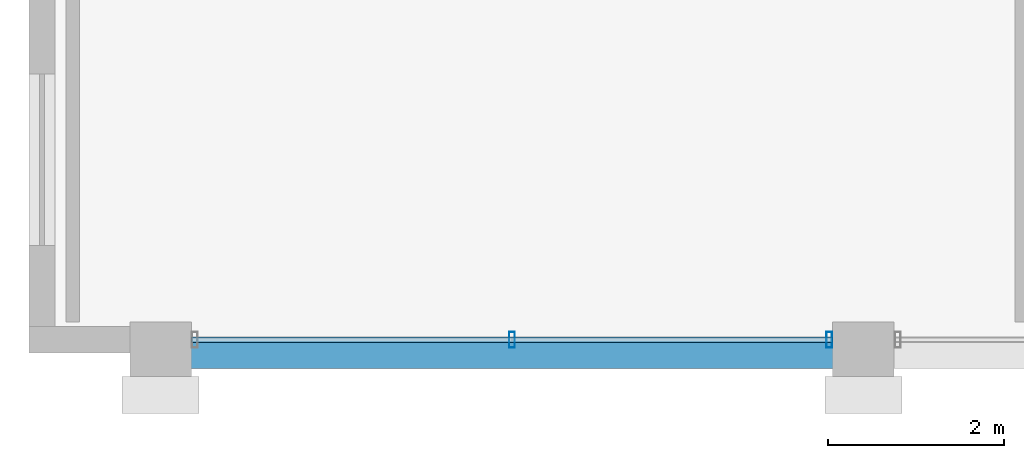
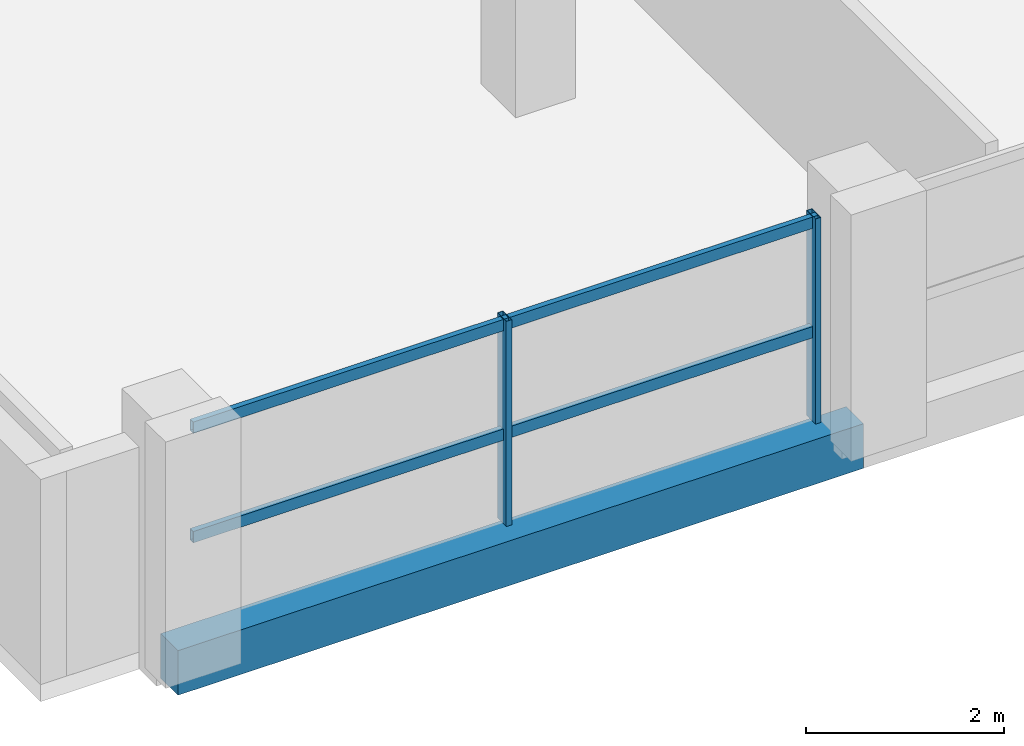
# One storey, part 3 of 24: 4 members, 1 beam, 1 element without a shape of its own.
"""IFC4 building model written with IfcOpenShell, lengths in metres."""

from ifc_helpers import new_model, si_unit, direction, frame, origin, origin_2d, place, context, subcontext, project, spatial, rectangle, hollow_rectangle, extrude, material, material_profile, profile_set, type_object, element, aggregate, save


model = new_model("IFC4")

# Units and contexts
model_context = context("Model", 3, precision=1e-05, world=origin(), true_north=direction((0.0, 1.0)))
body_context = subcontext(model_context, "Body", "Model", "MODEL_VIEW")
ifc_project = project(units=[si_unit("LENGTHUNIT", "METRE"), si_unit("AREAUNIT", "SQUARE_METRE"), si_unit("VOLUMEUNIT", "CUBIC_METRE"), si_unit("PLANEANGLEUNIT", "RADIAN"), si_unit("MASSUNIT", "GRAM", prefix="KILO")], contexts=[model_context])

# Site, building, storey
site_placement = place(None, origin())
site = spatial("IfcSite", under=ifc_project, at=site_placement, CompositionType="ELEMENT")
building_placement = place(site_placement, origin())
building = spatial("IfcBuilding", under=site, at=building_placement, Name="Akrevak Sports Hall", CompositionType="ELEMENT")
storey_placement = place(building_placement, frame((0.0, 0.0, 60.050048828125)))
storey = spatial("IfcBuildingStorey", under=building, at=storey_placement, Name="L15", CompositionType="ELEMENT", Elevation=60.050048828125)

# Curtain wall, members
ifc_material_1 = material(Name="Anodized Bronze Aluminium & Low-E Glass", Category="aluminium")
curtain_wall_type = type_object("IfcCurtainWallType", Name="ARC-CW-TWR-56x30", PredefinedType="NOTDEFINED", material=ifc_material_1)
curtain_wall_placement = place(storey_placement, origin())
curtain_wall = element("IfcCurtainWall", 1, at=curtain_wall_placement, inside=storey, type_object=curtain_wall_type, Name="Curtain Wall CW-L15-S02", PredefinedType="NOTDEFINED")
ifc_material_2 = material(Name="Anodized Bronze Aluminium", Category="aluminium")
ifc_material_profile_1 = material_profile(ifc_material_2, hollow_rectangle(XDim=0.06494140625, YDim=0.179931640625, WallThickness=0.00390625, at=origin_2d()), Name="CWM 65x180", Category="aluminium")
ifc_profile_set_1 = profile_set([ifc_material_profile_1], Name="Anodized Bronze Aluminium")
member_type_1 = type_object("IfcMemberType", Name="ARC-CWM-65x140", PredefinedType="MULLION", material=ifc_profile_set_1)
member_1_placement = place(storey_placement, frame((64.0, 35.550048828125, 0.0), z_axis=(0.0, 0.0, 1.0), x_axis=(1.0, 0.0, 0.0)))
member_1 = element("IfcMember", 2, at=member_1_placement, type_object=member_type_1, Name="Curtain Wall Mullion CW-L15-S02-M2", PredefinedType="MULLION", context=body_context, shape_type="SweptSolid", body=[
    extrude(hollow_rectangle(XDim=0.06494140625, YDim=0.179931640625, WallThickness=0.00390625, at=origin_2d()), origin(), (0.0, 0.0, 1.0), 2.530029296875),
])
member_2_placement = place(storey_placement, frame((67.610107421875, 35.550048828125, 0.0), z_axis=(0.0, 0.0, 1.0), x_axis=(1.0, 0.0, 0.0)))
member_2 = element("IfcMember", 3, at=member_2_placement, type_object=member_type_1, Name="Curtain Wall Mullion CW-L15-S02-M3", PredefinedType="MULLION", context=body_context, shape_type="SweptSolid", body=[
    extrude(hollow_rectangle(XDim=0.06494140625, YDim=0.179931640625, WallThickness=0.00390625, at=origin_2d()), origin(), (0.0, 0.0, 1.0), 2.530029296875),
])
ifc_material_profile_2 = material_profile(ifc_material_2, hollow_rectangle(XDim=0.06494140625, YDim=0.139892578125, WallThickness=0.00390625, at=origin_2d()), Name="CWT 65x140", Category="aluminium")
ifc_profile_set_2 = profile_set([ifc_material_profile_2], Name="Anodized Bronze Aluminium")
member_type_2 = type_object("IfcMemberType", Name="ARC-CWT-65x110", PredefinedType="USERDEFINED", material=ifc_profile_set_2)
member_3_placement = place(storey_placement, frame((60.35009765625, 35.550048828125, 1.099853515625), z_axis=(1.0, 0.0, 0.0), x_axis=(0.0, 1.0, 0.0)))
member_3 = element("IfcMember", 4, at=member_3_placement, type_object=member_type_2, Name="Curtain Wall Transom CW-L15-S02-T1", ObjectType="TRANSOM", PredefinedType="USERDEFINED", context=body_context, shape_type="SweptSolid", body=[
    extrude(hollow_rectangle(XDim=0.06494140625, YDim=0.139892578125, WallThickness=0.00390625, at=origin_2d()), origin(), (0.0, 0.0, 1.0), 7.2998046875),
])
member_4_placement = place(storey_placement, frame((60.35009765625, 35.550048828125, 2.449951171875), z_axis=(1.0, 0.0, 0.0), x_axis=(0.0, 1.0, 0.0)))
member_4 = element("IfcMember", 5, at=member_4_placement, type_object=member_type_2, Name="Curtain Wall Transom CW-L15-S02-T2", ObjectType="TRANSOM", PredefinedType="USERDEFINED", context=body_context, shape_type="SweptSolid", body=[
    extrude(hollow_rectangle(XDim=0.06494140625, YDim=0.139892578125, WallThickness=0.00390625, at=origin_2d()), origin(), (0.0, 0.0, 1.0), 7.2998046875),
])
aggregate(curtain_wall, [member_1, member_2, member_3, member_4])

# Beam
ifc_material_3 = material(Name="Concrete C40/50", Category="concrete")
ifc_material_profile_3 = material_profile(ifc_material_3, rectangle(XDim=0.35009765625, YDim=0.550048828125, at=origin_2d()), Name="BM 350x550", Category="concrete")
ifc_profile_set_3 = profile_set([ifc_material_profile_3], Name="Concrete C40/50")
beam_type = type_object("IfcBeamType", Name="STR-BM-RC350x550", PredefinedType="BEAM", material=ifc_profile_set_3)
beam_placement = place(storey_placement, frame((60.0, 35.39990234375, -0.275146484375), z_axis=(1.0, 0.0, 0.0), x_axis=(0.0, 1.0, 0.0)))
element("IfcBeam", 6, at=beam_placement, inside=storey, type_object=beam_type, Name="Girder F/9-10 (L15)", PredefinedType="BEAM", context=body_context, shape_type="SweptSolid", body=[
    extrude(rectangle(XDim=0.35009765625, YDim=0.550048828125, at=origin_2d()), origin(), (0.0, 0.0, 1.0), 8.0),
])

save(model, "model.ifc")
